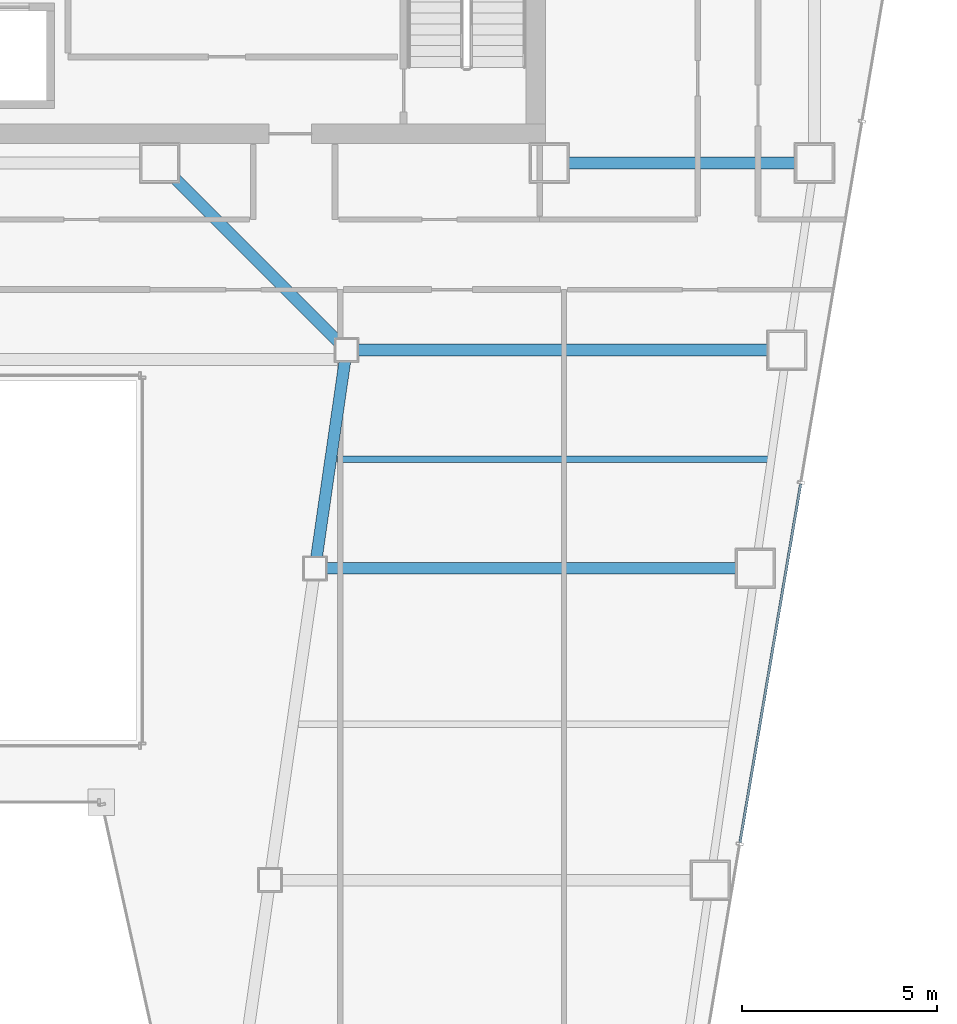
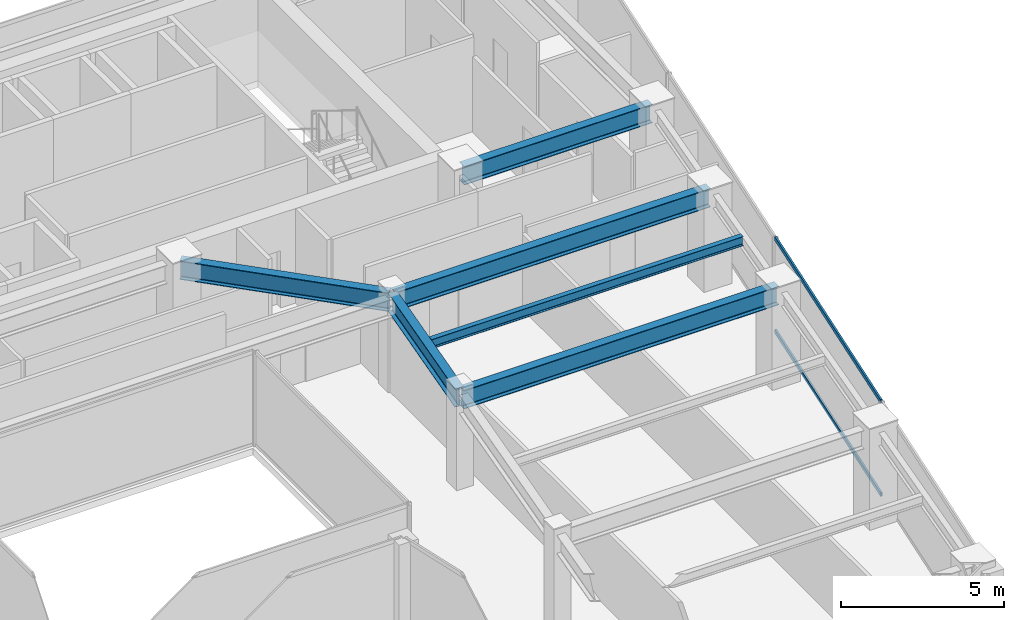
# One storey, part 20 of 35: 6 beams, 2 members, 1 element without a shape of its own.
"""IFC4 building model written with IfcOpenShell, lengths in metres."""

import ifcopenshell
import ifcopenshell.guid

model = None  # the IFC model being written
_history = None  # IfcOwnerHistory: only IFC2X3 demands one
_inside = {}  # id of a spatial element -> (the spatial element, [elements in it])
_under = {}  # id of a project, library or spatial element -> (it, [spatial elements below it])
_declared = {}  # id of a project -> (the project, [libraries it declares])
_typed = {}  # id of a type object -> (the type object, [elements of that type])
_made_of = {}  # id of a material, layer set ... -> (it, [elements and type objects made of it])


def new_model(schema):
    """Start an empty IFC model of exactly this schema.

    Asked for "IFC4X3", IfcOpenShell would pick the latest addendum, in which some entities
    have other attributes; the version numbers below select the first issue.
    IFC2X3 requires an IfcOwnerHistory on every rooted entity: one is made here for all.
    """
    global model, _history
    if schema == "IFC4X3":
        model = ifcopenshell.file(schema_version=(4, 3, 0, 0))
    else:
        model = ifcopenshell.file(schema=schema)
    _inside.clear()
    _under.clear()
    _declared.clear()
    _typed.clear()
    _made_of.clear()
    _history = None
    if model.schema == "IFC2X3":
        org = make("IfcOrganization", Name="unknown")
        user = make(
            "IfcPersonAndOrganization",
            ThePerson=make("IfcPerson", FamilyName="unknown"),
            TheOrganization=org,
        )
        app = make(
            "IfcApplication",
            ApplicationDeveloper=org,
            Version="unknown",
            ApplicationFullName="unknown",
            ApplicationIdentifier="unknown",
        )
        _history = make(
            "IfcOwnerHistory",
            OwningUser=user,
            OwningApplication=app,
            ChangeAction="ADDED",
            CreationDate=0,
        )
    return model


def make(cls, **values):
    """One entity of the class cls with the attributes given. An attribute that is None is left unset."""
    return model.create_entity(
        cls, **{name: value for name, value in values.items() if value is not None}
    )


def rooted(cls, **values):
    """An entity with a GlobalId (a new one), such as an element, a storey or a relation."""
    return make(cls, GlobalId=ifcopenshell.guid.new(), OwnerHistory=_history, **values)


def si_unit(unit_type, name, prefix=None):
    """IfcSIUnit, for example si_unit("LENGTHUNIT", "METRE", prefix="MILLI")."""
    return make("IfcSIUnit", UnitType=unit_type, Prefix=prefix, Name=name)


def assignment(units):
    """IfcUnitAssignment: the units of a project."""
    return None if units is None else make("IfcUnitAssignment", Units=units)


def point(xyz):
    """IfcCartesianPoint."""
    return None if xyz is None else make("IfcCartesianPoint", Coordinates=xyz)


def direction(xyz):
    """IfcDirection."""
    return None if xyz is None else make("IfcDirection", DirectionRatios=xyz)


def frame(location, z_axis=None, x_axis=None):
    """IfcAxis2Placement3D, a coordinate frame: its origin and axes. An axis left out is left unset."""
    return make(
        "IfcAxis2Placement3D",
        Location=point(location),
        Axis=direction(z_axis),
        RefDirection=direction(x_axis),
    )


def frame_2d(location, x_axis=None):
    """IfcAxis2Placement2D, a coordinate frame in the plane: its origin and x axis."""
    return make(
        "IfcAxis2Placement2D", Location=point(location), RefDirection=direction(x_axis)
    )


def origin():
    """The frame at (0, 0, 0) with its axes left unset."""
    return frame((0.0, 0.0, 0.0))


def origin_2d():
    """The frame at (0, 0) in the plane with its x axis left unset."""
    return frame_2d((0.0, 0.0))


def place(relative_to, where):
    """IfcLocalPlacement: puts the frame where relative to a parent placement (None: the world)."""
    return make(
        "IfcLocalPlacement", PlacementRelTo=relative_to, RelativePlacement=where
    )


def context(
    kind, dimensions, precision=None, world=None, true_north=None, identifier=None
):
    """IfcGeometricRepresentationContext, for example the 3D "Model" context."""
    return make(
        "IfcGeometricRepresentationContext",
        ContextIdentifier=identifier,
        ContextType=kind,
        CoordinateSpaceDimension=dimensions,
        Precision=precision,
        WorldCoordinateSystem=world,
        TrueNorth=true_north,
    )


def subcontext(parent, identifier, kind, view, scale=None):
    """IfcGeometricRepresentationSubContext, for example "Body" below "Model"."""
    return make(
        "IfcGeometricRepresentationSubContext",
        ContextIdentifier=identifier,
        ContextType=kind,
        ParentContext=parent,
        TargetScale=scale,
        TargetView=view,
    )


def project(units=None, contexts=None):
    """IfcProject with its units and contexts."""
    return rooted(
        "IfcProject",
        Name="project",
        RepresentationContexts=contexts,
        UnitsInContext=assignment(units),
    )


def spatial(cls, under=None, at=None, **own):
    """A site, building, storey or space (cls), placed at a placement, below another one or the project."""
    s = rooted(cls, ObjectPlacement=at, **own)
    if under is not None:
        _under.setdefault(under.id(), (under, []))[1].append(s)
    return s


def profile(cls, at=None, kind="AREA", **sizes):
    """A parametric profile (cls). Its sizes go by their IFC names, for example OverallWidth=200.0."""
    return make(cls, ProfileType=kind, Position=at, **sizes)


def hollow_rectangle(**sizes):
    """IfcRectangleHollowProfileDef."""
    return profile("IfcRectangleHollowProfileDef", **sizes)


def i_section(**sizes):
    """IfcIShapeProfileDef."""
    return profile("IfcIShapeProfileDef", **sizes)


def extrude(swept, where, along, depth):
    """IfcExtrudedAreaSolid: the profile swept, set in the frame where, extruded along a direction by depth."""
    return make(
        "IfcExtrudedAreaSolid",
        SweptArea=swept,
        Position=where,
        ExtrudedDirection=direction(along),
        Depth=depth,
    )


def shape(context_of_items, identifier, shape_type, items):
    """IfcShapeRepresentation: the items that make up one representation, for example the "Body"."""
    return make(
        "IfcShapeRepresentation",
        ContextOfItems=context_of_items,
        RepresentationIdentifier=identifier,
        RepresentationType=shape_type,
        Items=items,
    )


def material(Name=None, Category=None):
    """IfcMaterial."""
    return make("IfcMaterial", Name=Name, Category=Category)


def material_profile(
    of_material, cross_section, Name=None, Category=None, Priority=None
):
    """IfcMaterialProfile: a cross section and its material."""
    return make(
        "IfcMaterialProfile",
        Name=Name,
        Material=of_material,
        Profile=cross_section,
        Priority=Priority,
        Category=Category,
    )


def profile_set(profiles, Name=None, composite=None):
    """IfcMaterialProfileSet."""
    return make(
        "IfcMaterialProfileSet",
        Name=Name,
        MaterialProfiles=profiles,
        CompositeProfile=composite,
    )


def made_of(thing, what):
    """Note that an element or type object is made of a material, layer set ...; save() writes the relation."""
    if what is not None:
        _made_of.setdefault(what.id(), (what, []))[1].append(thing)
    return thing


def type_object(cls, material=None, **own):
    """A type object (cls), such as IfcWallType, which elements share."""
    return made_of(rooted(cls, **own), material)


def element(
    cls,
    number,
    at=None,
    inside=None,
    cuts=None,
    type_object=None,
    material=None,
    context=None,
    identifier="Body",
    shape_type=None,
    held_by="IfcProductDefinitionShape",
    body=None,
    shapes=None,
    **own,
):
    """One element of the class cls, such as IfcWall. Its Tag is "e" and its number.

    at: its placement. inside: the storey or other place that contains it. cuts: it is an
    opening in that element (IfcRelVoidsElement). A single representation is given by context,
    identifier, shape_type and body (its items); several are given by shapes. held_by: the class
    of the entity that holds the representations. save() writes the other relations.
    """
    e = rooted(cls, Tag="e%d" % number, ObjectPlacement=at, **own)
    if body is not None:
        shapes = [shape(context, identifier, shape_type, body)]
    if shapes is not None:
        e.Representation = make(held_by, Representations=shapes)
    if inside is not None:
        _inside.setdefault(inside.id(), (inside, []))[1].append(e)
    if cuts is not None:
        rooted(
            "IfcRelVoidsElement", RelatingBuildingElement=cuts, RelatedOpeningElement=e
        )
    if type_object is not None:
        _typed.setdefault(type_object.id(), (type_object, []))[1].append(e)
    return made_of(e, material)


def aggregate(whole, parts):
    """IfcRelAggregates: a whole, such as a stair, and the parts it consists of."""
    return rooted("IfcRelAggregates", RelatingObject=whole, RelatedObjects=parts)


def save(model, path):
    """Write the relations noted so far, then the file.

    IfcRelAggregates (storeys below a building ...), IfcRelContainedInSpatialStructure (elements
    in a storey), IfcRelDefinesByType, IfcRelAssociatesMaterial and IfcRelDeclares: one each for
    every whole, place, type object, material and project.
    """
    for whole, parts in _under.values():
        aggregate(whole, parts)
    for where, things in _inside.values():
        rooted(
            "IfcRelContainedInSpatialStructure",
            RelatedElements=things,
            RelatingStructure=where,
        )
    for kind, things in _typed.values():
        rooted("IfcRelDefinesByType", RelatedObjects=things, RelatingType=kind)
    for what, things in _made_of.values():
        rooted("IfcRelAssociatesMaterial", RelatedObjects=things, RelatingMaterial=what)
    for by, libraries in _declared.values():
        rooted("IfcRelDeclares", RelatingContext=by, RelatedDefinitions=libraries)
    model.write(path)


model = new_model("IFC4")

# Units and contexts
model_context = context("Model", 3, precision=1e-05, world=origin(), true_north=direction((0.0, 1.0)))
body_context = subcontext(model_context, "Body", "Model", "MODEL_VIEW")
ifc_project = project(units=[si_unit("LENGTHUNIT", "METRE"), si_unit("AREAUNIT", "SQUARE_METRE"), si_unit("VOLUMEUNIT", "CUBIC_METRE"), si_unit("PLANEANGLEUNIT", "RADIAN"), si_unit("MASSUNIT", "GRAM", prefix="KILO")], contexts=[model_context])

# Site, building, storey
site_placement = place(None, origin())
site = spatial("IfcSite", under=ifc_project, at=site_placement, CompositionType="ELEMENT")
building_placement = place(site_placement, origin())
building = spatial("IfcBuilding", under=site, at=building_placement, Name="Saevonmaru Cultural Tower", CompositionType="ELEMENT")
storey_placement = place(building_placement, frame((0.0, 0.0, 179.0)))
storey = spatial("IfcBuildingStorey", under=building, at=storey_placement, Name="L40", CompositionType="ELEMENT", Elevation=179.0)

# Beams
ifc_material_1 = material(Name="Steel SM355", Category="steel")
ifc_material_profile_1 = material_profile(ifc_material_1, i_section(OverallWidth=0.300048828125, OverallDepth=0.699951171875, WebThickness=0.012939453125, FlangeThickness=0.02392578125, FilletRadius=0.02587890625, at=origin_2d()), Name="H-700x300x13x24")
ifc_profile_set_1 = profile_set([ifc_material_profile_1], Name="Steel SM355")
beam_type_1 = type_object("IfcBeamType", Name="BM-G-H700", PredefinedType="BEAM", material=ifc_profile_set_1)
beam_1_placement = place(storey_placement, frame((46.4599609375, 42.39990234375, 3.199951171875), z_axis=(1.0, 0.0, 0.0), x_axis=(0.0, 1.0, 0.0)))
element("IfcBeam", 1, at=beam_1_placement, inside=storey, type_object=beam_type_1, Name="L40 Core South Girder 5", PredefinedType="BEAM", context=body_context, shape_type="SweptSolid", body=[
    extrude(i_section(OverallWidth=0.300048828125, OverallDepth=0.699951171875, WebThickness=0.012939453125, FlangeThickness=0.02392578125, FilletRadius=0.02587890625, at=origin_2d()), origin(), (0.0, 0.0, 1.0), 6.679931640625),
])
beam_2_placement = place(storey_placement, frame((40.3916015625, 32.059326171875, 3.199951171875), z_axis=(0.142964121327, 0.989727871697, 0.0), x_axis=(-0.989727871697, 0.142964121327, 0.0)))
element("IfcBeam", 2, at=beam_2_placement, inside=storey, type_object=beam_type_1, Name="L40 East Atrium Girder 3", PredefinedType="BEAM", context=body_context, shape_type="SweptSolid", body=[
    extrude(i_section(OverallWidth=0.300048828125, OverallDepth=0.699951171875, WebThickness=0.012939453125, FlangeThickness=0.02392578125, FilletRadius=0.02587890625, at=origin_2d()), origin(), (0.0, 0.0, 1.0), 5.5380859375),
])
beam_3_placement = place(storey_placement, frame((41.149658203125, 37.642578125, 3.199951171875), z_axis=(-0.706538566564, 0.707674539572, 0.0), x_axis=(-0.707674539572, -0.706538566564, 0.0)))
element("IfcBeam", 3, at=beam_3_placement, inside=storey, type_object=beam_type_1, Name="L40 East Atrium Girder 4", PredefinedType="BEAM", context=body_context, shape_type="SweptSolid", body=[
    extrude(i_section(OverallWidth=0.300048828125, OverallDepth=0.699951171875, WebThickness=0.012939453125, FlangeThickness=0.02392578125, FilletRadius=0.02587890625, at=origin_2d()), origin(), (0.0, 0.0, 1.0), 6.662353515625),
])
for number, where, z_axis, x_axis, name in (
    (4, (40.443115234375, 32.0, 3.199951171875), (1.0, 0.0, 0.0), (0.0, 1.0, 0.0), "L40 East Wing Transverse Girder 3"),
    (5, (41.251953125, 37.60009765625, 3.199951171875), (1.0, 0.0, 0.0), (0.0, 1.0, 0.0), "L40 East Wing Transverse Girder 4"),
):
    element("IfcBeam", number, at=place(storey_placement, frame(where, z_axis=z_axis, x_axis=x_axis)), inside=storey, type_object=beam_type_1, Name=name, PredefinedType="BEAM", context=body_context, shape_type="SweptSolid", body=[
        extrude(i_section(OverallWidth=0.300048828125, OverallDepth=0.699951171875, WebThickness=0.012939453125, FlangeThickness=0.02392578125, FilletRadius=0.02587890625, at=origin_2d()), origin(), (0.0, 0.0, 1.0), 11.179931640625),
    ])
ifc_material_profile_2 = material_profile(ifc_material_1, i_section(OverallWidth=0.175048828125, OverallDepth=0.35009765625, WebThickness=0.007080078125, FlangeThickness=0.010986328125, FilletRadius=0.012939453125, at=origin_2d()), Name="H-350x175x7x11")
ifc_profile_set_2 = profile_set([ifc_material_profile_2], Name="Steel SM355")
beam_type_2 = type_object("IfcBeamType", Name="BM-J-H350", PredefinedType="JOIST", material=ifc_profile_set_2)
beam_4_placement = place(storey_placement, frame((40.945556640625, 34.800048828125, 3.375), z_axis=(1.0, 0.0, 0.0), x_axis=(0.0, 1.0, 0.0)))
element("IfcBeam", 6, at=beam_4_placement, inside=storey, type_object=beam_type_2, Name="L40 East Wing Floor Joist 3", PredefinedType="JOIST", context=body_context, shape_type="SweptSolid", body=[
    extrude(i_section(OverallWidth=0.175048828125, OverallDepth=0.35009765625, WebThickness=0.007080078125, FlangeThickness=0.010986328125, FilletRadius=0.012939453125, at=origin_2d()), origin(), (0.0, 0.0, 1.0), 11.08203125),
])

# Curtain wall, members
ifc_material_2 = material(Name="Satin Bronze Anodised Aluminium", Category="aluminium")
curtain_wall_type = type_object("IfcCurtainWallType", Name="CW-TYP-B", PredefinedType="NOTDEFINED", material=ifc_material_2)
curtain_wall_placement = place(storey_placement, origin())
curtain_wall = element("IfcCurtainWall", 7, at=curtain_wall_placement, inside=storey, type_object=curtain_wall_type, Name="L40 Unitised Curtain Wall E8", PredefinedType="NOTDEFINED")
ifc_material_profile_3 = material_profile(ifc_material_2, hollow_rectangle(XDim=0.06494140625, YDim=0.14990234375, WallThickness=0.00390625, at=origin_2d()), Name="ALU-TRAN-150x65x4")
ifc_profile_set_3 = profile_set([ifc_material_profile_3], Name="Satin Bronze Anodised Aluminium")
member_type = type_object("IfcMemberType", Name="TR-CW-150x65", PredefinedType="USERDEFINED", material=ifc_profile_set_3)
member_1_placement = place(storey_placement, frame((51.287109375, 24.961669921875, 0.032470703125), z_axis=(0.166921263871, 0.985970228591, 0.0), x_axis=(-0.985970228591, 0.166921263871, 0.0)))
member_1 = element("IfcMember", 8, at=member_1_placement, type_object=member_type, Name="CW-TW-L40-E8 transom 2.1", ObjectType="TRANSOM", PredefinedType="USERDEFINED", context=body_context, shape_type="SweptSolid", body=[
    extrude(hollow_rectangle(XDim=0.06494140625, YDim=0.14990234375, WallThickness=0.00390625, at=origin_2d()), origin(), (0.0, 0.0, 1.0), 9.33740234375),
])
member_2_placement = place(storey_placement, frame((51.287109375, 24.961669921875, 3.517578125), z_axis=(0.166921263871, 0.985970228591, 0.0), x_axis=(-0.985970228591, 0.166921263871, 0.0)))
member_2 = element("IfcMember", 9, at=member_2_placement, type_object=member_type, Name="CW-TW-L40-E8 transom 2.2", ObjectType="TRANSOM", PredefinedType="USERDEFINED", context=body_context, shape_type="SweptSolid", body=[
    extrude(hollow_rectangle(XDim=0.06494140625, YDim=0.14990234375, WallThickness=0.00390625, at=origin_2d()), origin(), (0.0, 0.0, 1.0), 9.33740234375),
])
aggregate(curtain_wall, [member_1, member_2])

save(model, "model.ifc")
